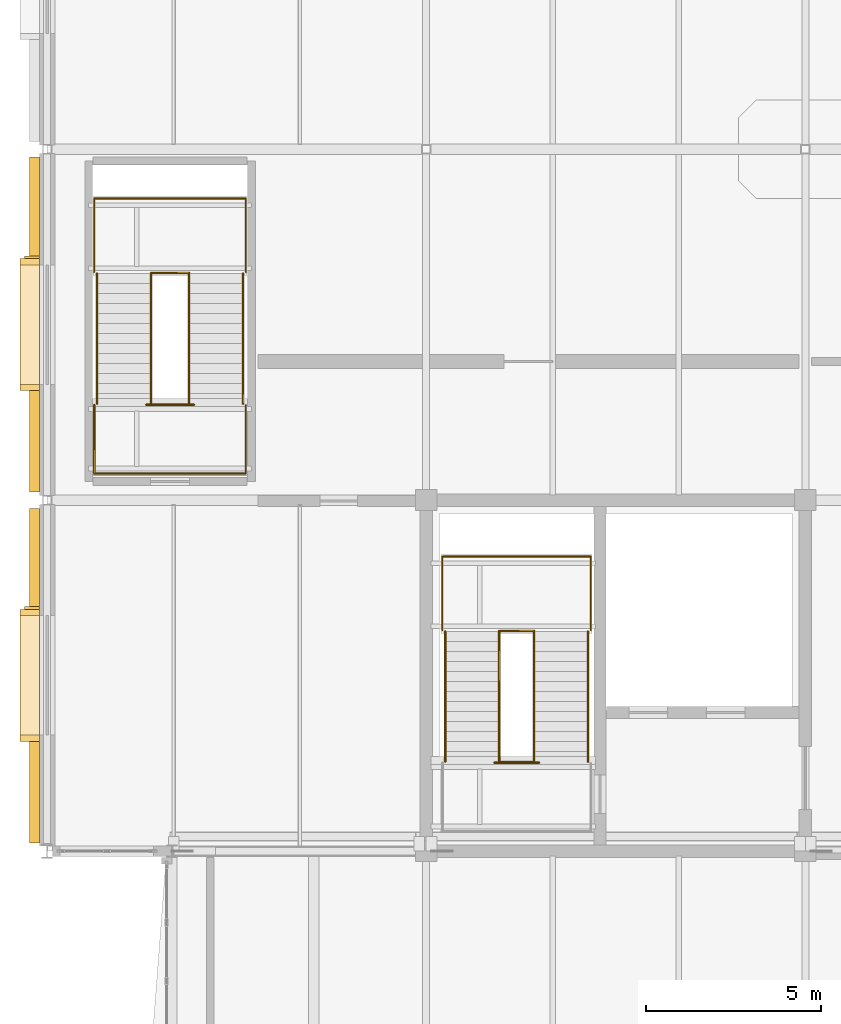
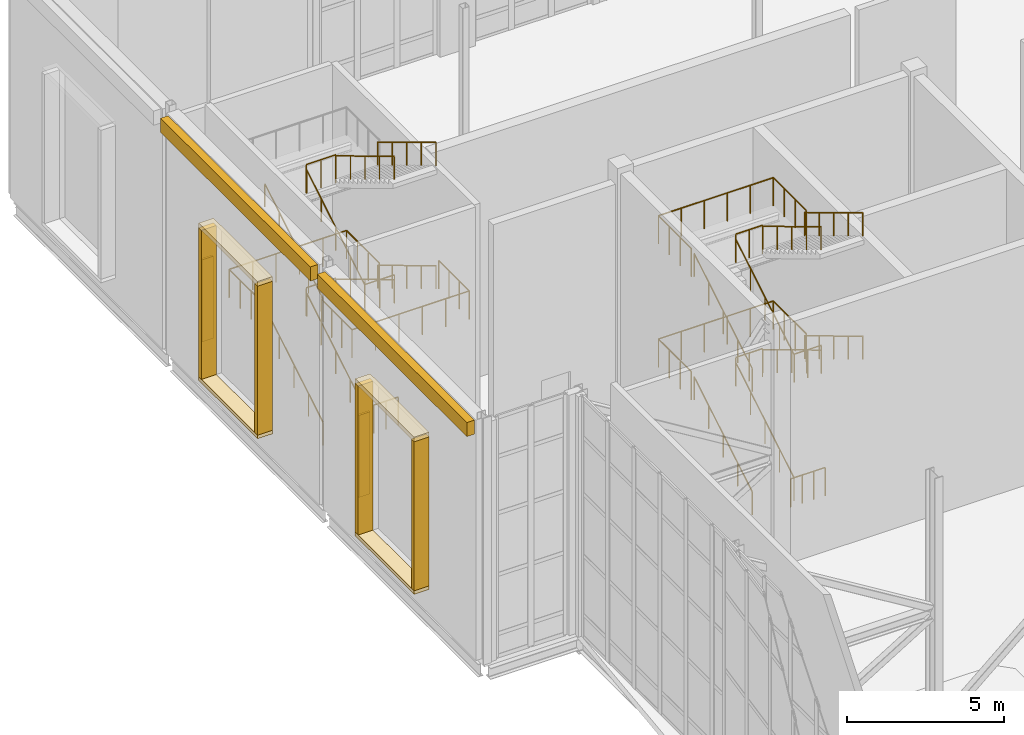
# One storey, part 96 of 100: 29 railings, 10 coverings, 2 shading devices.
"""IFC4 building model written with IfcOpenShell, lengths in metres."""

from ifc_helpers import new_model, si_unit, direction, frame, origin, origin_2d, place, context, subcontext, project, spatial, rectangle, circle, extrude, material, layer, layer_set, type_object, element, save


model = new_model("IFC4")

# Units and contexts
model_context = context("Model", 3, precision=1e-05, world=origin(), true_north=direction((0.0, 1.0)))
body_context = subcontext(model_context, "Body", "Model", "MODEL_VIEW")
ifc_project = project(units=[si_unit("LENGTHUNIT", "METRE"), si_unit("AREAUNIT", "SQUARE_METRE"), si_unit("VOLUMEUNIT", "CUBIC_METRE"), si_unit("PLANEANGLEUNIT", "RADIAN"), si_unit("MASSUNIT", "GRAM", prefix="KILO")], contexts=[model_context])

# Site, building, storey
site_placement = place(None, origin())
site = spatial("IfcSite", under=ifc_project, at=site_placement, CompositionType="ELEMENT")
building_placement = place(site_placement, origin())
building = spatial("IfcBuilding", under=site, at=building_placement, Name="Tasgan Crest Museum", CompositionType="ELEMENT")
storey_placement = place(building_placement, frame((0.0, 0.0, 14.39990234375)))
storey = spatial("IfcBuildingStorey", under=building, at=storey_placement, Name="L03", CompositionType="ELEMENT", Elevation=14.39990234375)

# Coverings
ifc_material_1 = material(Name="Honed Rose-Red Mongolian Granite", Category="masonry")
ifc_layer_1 = layer(ifc_material_1, 0.0400390625, Name="COV-GRANITE-ROSE")
ifc_layer_set_1 = layer_set([ifc_layer_1], Name="Honed Rose-Red Mongolian Granite")
covering_type_1 = type_object("IfcCoveringType", Name="COV-GRANITE-ROSE", PredefinedType="CLADDING", material=ifc_layer_set_1)
for number, where, z_axis, x_axis, name in (
    (1, (-0.5, 98.7900390625, 1.10009765625), (0.0, 0.0, 1.0), (0.0, -1.0, 0.0), "Deep window reveal jamb L03-057"),
    (2, (-0.5, 95.2099609375, 1.10009765625), (0.0, 0.0, 1.0), (0.0, -1.0, 0.0), "Deep window reveal jamb L03-057"),
    (3, (-0.5, 88.799560546875, 1.10009765625), (0.0, 0.0, 1.0), (0.0, -1.0, 0.0), "Deep window reveal jamb L03-058"),
    (4, (-0.5, 85.219482421875, 1.10009765625), (0.0, 0.0, 1.0), (0.0, -1.0, 0.0), "Deep window reveal jamb L03-058"),
):
    element("IfcCovering", number, at=place(storey_placement, frame(where, z_axis=z_axis, x_axis=x_axis)), inside=storey, type_object=covering_type_1, Name=name, PredefinedType="CLADDING", context=body_context, shape_type="SweptSolid", body=[
        extrude(rectangle(XDim=0.179931640625, YDim=0.550048828125, at=origin_2d()), origin(), (0.0, 0.0, 1.0), 5.800048828125),
    ])
ifc_material_2 = material(Name="Honed Buff Limestone", Category="masonry")
ifc_layer_2 = layer(ifc_material_2, 0.044921875, Name="COV-LIMESTONE-BUFF")
ifc_layer_set_2 = layer_set([ifc_layer_2], Name="Honed Buff Limestone")
covering_type_2 = type_object("IfcCoveringType", Name="COV-LIMESTONE-BUFF", PredefinedType="CLADDING", material=ifc_layer_set_2)
covering_1_placement = place(storey_placement, frame((-0.364990234375, 97.0, 8.76025390625), z_axis=(0.0, 0.0, 1.0), x_axis=(0.0, -1.0, 0.0)))
element("IfcCovering", 5, at=covering_1_placement, inside=storey, type_object=covering_type_2, Name="Stone frieze cladding L03", PredefinedType="CLADDING", context=body_context, shape_type="SweptSolid", body=[
    extrude(rectangle(XDim=9.548095703125, YDim=0.280029296875, at=origin_2d()), origin(), (0.0, 0.0, 1.0), 0.550048828125),
])
covering_2_placement = place(storey_placement, frame((-0.5, 97.0, 6.89990234375), z_axis=(0.0, 0.0, 1.0), x_axis=(0.0, -1.0, 0.0)))
element("IfcCovering", 6, at=covering_2_placement, inside=storey, type_object=covering_type_2, Name="Deep window hood L03-057", PredefinedType="CLADDING", context=body_context, shape_type="SweptSolid", body=[
    extrude(rectangle(XDim=3.760009765625, YDim=0.550048828125, at=origin_2d()), origin(), (0.0, 0.0, 1.0), 0.179931640625),
])
covering_3_placement = place(storey_placement, frame((-0.5, 97.0, 0.9599609375), z_axis=(0.0, 0.0, 1.0), x_axis=(0.0, -1.0, 0.0)))
element("IfcCovering", 7, at=covering_3_placement, inside=storey, type_object=covering_type_2, Name="Deep window sill L03-057", PredefinedType="CLADDING", context=body_context, shape_type="SweptSolid", body=[
    extrude(rectangle(XDim=3.760009765625, YDim=0.550048828125, at=origin_2d()), origin(), (0.0, 0.0, 1.0), 0.139892578125),
])
covering_4_placement = place(storey_placement, frame((-0.364990234375, 87.0, 8.76025390625), z_axis=(0.0, 0.0, 1.0), x_axis=(0.0, -1.0, 0.0)))
element("IfcCovering", 8, at=covering_4_placement, inside=storey, type_object=covering_type_2, Name="Stone frieze cladding L03", PredefinedType="CLADDING", context=body_context, shape_type="SweptSolid", body=[
    extrude(rectangle(XDim=9.529052734375, YDim=0.280029296875, at=origin_2d()), origin(), (0.0, 0.0, 1.0), 0.550048828125),
])
covering_5_placement = place(storey_placement, frame((-0.5, 87.009521484375, 6.89990234375), z_axis=(0.0, 0.0, 1.0), x_axis=(0.0, -1.0, 0.0)))
element("IfcCovering", 9, at=covering_5_placement, inside=storey, type_object=covering_type_2, Name="Deep window hood L03-058", PredefinedType="CLADDING", context=body_context, shape_type="SweptSolid", body=[
    extrude(rectangle(XDim=3.760009765625, YDim=0.550048828125, at=origin_2d()), origin(), (0.0, 0.0, 1.0), 0.179931640625),
])
covering_6_placement = place(storey_placement, frame((-0.5, 87.009521484375, 0.9599609375), z_axis=(0.0, 0.0, 1.0), x_axis=(0.0, -1.0, 0.0)))
element("IfcCovering", 10, at=covering_6_placement, inside=storey, type_object=covering_type_2, Name="Deep window sill L03-058", PredefinedType="CLADDING", context=body_context, shape_type="SweptSolid", body=[
    extrude(rectangle(XDim=3.760009765625, YDim=0.550048828125, at=origin_2d()), origin(), (0.0, 0.0, 1.0), 0.139892578125),
])

# Railings
ifc_material_3 = material(Name="Brushed Bronze and Toughened Glass", Category="glass")
railing_type_1 = type_object("IfcRailingType", Name="RL-INT-GUARD-1120", PredefinedType="GUARDRAIL", material=ifc_material_3)
railing_1_placement = place(storey_placement, frame((12.739990234375, 84.52001953125, 0.0)))
element("IfcRailing", 11, at=railing_1_placement, inside=storey, type_object=railing_type_1, Name="North-West Gallery Core floor slot guard L03", PredefinedType="GUARDRAIL", context=body_context, shape_type="SweptSolid", body=[
    extrude(circle(Radius=0.02392578125, at=origin_2d()), frame((0.0, 0.0, 1.09619140625), z_axis=(1.0, 0.0, 0.0), x_axis=(0.0, 1.0, 0.0)), (0.0, 0.0, 1.0), 1.27001953125),
    extrude(circle(Radius=0.02099609375, at=origin_2d()), origin(), (0.0, 0.0, 1.0), 1.072021484375),
    extrude(circle(Radius=0.02099609375, at=origin_2d()), frame((0.42333984375, 0.0, 0.0)), (0.0, 0.0, 1.0), 1.072021484375),
    extrude(circle(Radius=0.02099609375, at=origin_2d()), frame((0.8466796875, 0.0, 0.0)), (0.0, 0.0, 1.0), 1.072021484375),
    extrude(circle(Radius=0.02099609375, at=origin_2d()), frame((1.27001953125, 0.0, 0.0)), (0.0, 0.0, 1.0), 1.072021484375),
])
for number, where, name in (
    (12, (12.8798828125, 84.530029296875, 4.800048828125), "Stair intermediate slot guard ST-NW-L03"),
    (13, (12.8798828125, 88.27490234375, 2.400146484375), "Stair half-landing well guard ST-NW-L03 T1"),
):
    element("IfcRailing", number, at=place(storey_placement, frame(where)), inside=storey, type_object=railing_type_1, Name=name, PredefinedType="GUARDRAIL", context=body_context, shape_type="SweptSolid", body=[
        extrude(circle(Radius=0.02392578125, at=origin_2d()), frame((0.0, 0.0, 1.09619140625), z_axis=(1.0, 0.0, 0.0), x_axis=(0.0, 1.0, 0.0)), (0.0, 0.0, 1.0), 0.990234375),
        extrude(circle(Radius=0.02099609375, at=origin_2d()), origin(), (0.0, 0.0, 1.0), 1.072021484375),
        extrude(circle(Radius=0.02099609375, at=origin_2d()), frame((0.4951171875, 0.0, 0.0)), (0.0, 0.0, 1.0), 1.072021484375),
        extrude(circle(Radius=0.02099609375, at=origin_2d()), frame((0.990234375, 0.0, 0.0)), (0.0, 0.0, 1.0), 1.072021484375),
    ])
railing_2_placement = place(storey_placement, frame((11.260009765625, 88.294921875, 2.400146484375)))
element("IfcRailing", 14, at=railing_2_placement, inside=storey, type_object=railing_type_1, Name="Stair half-landing perimeter guard ST-NW-L03 T1", PredefinedType="GUARDRAIL", context=body_context, shape_type="SweptSolid", body=[
    extrude(circle(Radius=0.02392578125, at=origin_2d()), frame((0.0, 0.0, 1.09619140625), z_axis=(0.0, 1.0, 0.0), x_axis=(-1.0, 0.0, 0.0)), (0.0, 0.0, 1.0), 2.10009765625),
    extrude(circle(Radius=0.02392578125, at=origin_2d()), frame((0.0, 2.10009765625, 1.09619140625), z_axis=(1.0, 0.0, 0.0), x_axis=(0.0, 1.0, 0.0)), (0.0, 0.0, 1.0), 4.22998046875),
    extrude(circle(Radius=0.02392578125, at=origin_2d()), frame((4.22998046875, 2.10009765625, 1.09619140625), z_axis=(0.0, -1.0, 0.0), x_axis=(1.0, 0.0, 0.0)), (0.0, 0.0, 1.0), 2.10009765625),
    extrude(circle(Radius=0.02099609375, at=origin_2d()), origin(), (0.0, 0.0, 1.0), 1.072021484375),
    extrude(circle(Radius=0.02099609375, at=origin_2d()), frame((0.0, 0.699951171875, 0.0)), (0.0, 0.0, 1.0), 1.072021484375),
    extrude(circle(Radius=0.02099609375, at=origin_2d()), frame((0.0, 1.400146484375, 0.0)), (0.0, 0.0, 1.0), 1.072021484375),
    extrude(circle(Radius=0.02099609375, at=origin_2d()), frame((0.0, 2.10009765625, 0.0)), (0.0, 0.0, 1.0), 1.072021484375),
    extrude(circle(Radius=0.02099609375, at=origin_2d()), frame((0.845947265625, 2.10009765625, 0.0)), (0.0, 0.0, 1.0), 1.072021484375),
    extrude(circle(Radius=0.02099609375, at=origin_2d()), frame((1.69189453125, 2.10009765625, 0.0)), (0.0, 0.0, 1.0), 1.072021484375),
    extrude(circle(Radius=0.02099609375, at=origin_2d()), frame((2.5380859375, 2.10009765625, 0.0)), (0.0, 0.0, 1.0), 1.072021484375),
    extrude(circle(Radius=0.02099609375, at=origin_2d()), frame((3.384033203125, 2.10009765625, 0.0)), (0.0, 0.0, 1.0), 1.072021484375),
    extrude(circle(Radius=0.02099609375, at=origin_2d()), frame((4.22998046875, 2.10009765625, 0.0)), (0.0, 0.0, 1.0), 1.072021484375),
    extrude(circle(Radius=0.02099609375, at=origin_2d()), frame((4.22998046875, 1.400146484375, 0.0)), (0.0, 0.0, 1.0), 1.072021484375),
    extrude(circle(Radius=0.02099609375, at=origin_2d()), frame((4.22998046875, 0.699951171875, 0.0)), (0.0, 0.0, 1.0), 1.072021484375),
    extrude(circle(Radius=0.02099609375, at=origin_2d()), frame((4.22998046875, 0.0, 0.0)), (0.0, 0.0, 1.0), 1.072021484375),
])
railing_3_placement = place(storey_placement, frame((12.8798828125, 88.27490234375, 7.2001953125)))
element("IfcRailing", 15, at=railing_3_placement, inside=storey, type_object=railing_type_1, Name="Stair half-landing well guard ST-NW-L03 T2", PredefinedType="GUARDRAIL", context=body_context, shape_type="SweptSolid", body=[
    extrude(circle(Radius=0.02392578125, at=origin_2d()), frame((0.0, 0.0, 1.09619140625), z_axis=(1.0, 0.0, 0.0), x_axis=(0.0, 1.0, 0.0)), (0.0, 0.0, 1.0), 0.990234375),
    extrude(circle(Radius=0.02099609375, at=origin_2d()), origin(), (0.0, 0.0, 1.0), 1.072021484375),
    extrude(circle(Radius=0.02099609375, at=origin_2d()), frame((0.4951171875, 0.0, 0.0)), (0.0, 0.0, 1.0), 1.072021484375),
    extrude(circle(Radius=0.02099609375, at=origin_2d()), frame((0.990234375, 0.0, 0.0)), (0.0, 0.0, 1.0), 1.072021484375),
])
railing_4_placement = place(storey_placement, frame((11.260009765625, 88.294921875, 7.2001953125)))
element("IfcRailing", 16, at=railing_4_placement, inside=storey, type_object=railing_type_1, Name="Stair half-landing perimeter guard ST-NW-L03 T2", PredefinedType="GUARDRAIL", context=body_context, shape_type="SweptSolid", body=[
    extrude(circle(Radius=0.02392578125, at=origin_2d()), frame((0.0, 0.0, 1.09619140625), z_axis=(0.0, 1.0, 0.0), x_axis=(-1.0, 0.0, 0.0)), (0.0, 0.0, 1.0), 2.10009765625),
    extrude(circle(Radius=0.02392578125, at=origin_2d()), frame((0.0, 2.10009765625, 1.09619140625), z_axis=(1.0, 0.0, 0.0), x_axis=(0.0, 1.0, 0.0)), (0.0, 0.0, 1.0), 4.22998046875),
    extrude(circle(Radius=0.02392578125, at=origin_2d()), frame((4.22998046875, 2.10009765625, 1.09619140625), z_axis=(0.0, -1.0, 0.0), x_axis=(1.0, 0.0, 0.0)), (0.0, 0.0, 1.0), 2.10009765625),
    extrude(circle(Radius=0.02099609375, at=origin_2d()), origin(), (0.0, 0.0, 1.0), 1.072021484375),
    extrude(circle(Radius=0.02099609375, at=origin_2d()), frame((0.0, 0.699951171875, 0.0)), (0.0, 0.0, 1.0), 1.072021484375),
    extrude(circle(Radius=0.02099609375, at=origin_2d()), frame((0.0, 1.400146484375, 0.0)), (0.0, 0.0, 1.0), 1.072021484375),
    extrude(circle(Radius=0.02099609375, at=origin_2d()), frame((0.0, 2.10009765625, 0.0)), (0.0, 0.0, 1.0), 1.072021484375),
    extrude(circle(Radius=0.02099609375, at=origin_2d()), frame((0.845947265625, 2.10009765625, 0.0)), (0.0, 0.0, 1.0), 1.072021484375),
    extrude(circle(Radius=0.02099609375, at=origin_2d()), frame((1.69189453125, 2.10009765625, 0.0)), (0.0, 0.0, 1.0), 1.072021484375),
    extrude(circle(Radius=0.02099609375, at=origin_2d()), frame((2.5380859375, 2.10009765625, 0.0)), (0.0, 0.0, 1.0), 1.072021484375),
    extrude(circle(Radius=0.02099609375, at=origin_2d()), frame((3.384033203125, 2.10009765625, 0.0)), (0.0, 0.0, 1.0), 1.072021484375),
    extrude(circle(Radius=0.02099609375, at=origin_2d()), frame((4.22998046875, 2.10009765625, 0.0)), (0.0, 0.0, 1.0), 1.072021484375),
    extrude(circle(Radius=0.02099609375, at=origin_2d()), frame((4.22998046875, 1.400146484375, 0.0)), (0.0, 0.0, 1.0), 1.072021484375),
    extrude(circle(Radius=0.02099609375, at=origin_2d()), frame((4.22998046875, 0.699951171875, 0.0)), (0.0, 0.0, 1.0), 1.072021484375),
    extrude(circle(Radius=0.02099609375, at=origin_2d()), frame((4.22998046875, 0.0, 0.0)), (0.0, 0.0, 1.0), 1.072021484375),
])
railing_5_placement = place(storey_placement, frame((2.820068359375, 94.719970703125, 0.0)))
element("IfcRailing", 17, at=railing_5_placement, inside=storey, type_object=railing_type_1, Name="GALW floor slot guard L03", PredefinedType="GUARDRAIL", context=body_context, shape_type="SweptSolid", body=[
    extrude(circle(Radius=0.02392578125, at=origin_2d()), frame((0.0, 0.0, 1.09619140625), z_axis=(1.0, 0.0, 0.0), x_axis=(0.0, 1.0, 0.0)), (0.0, 0.0, 1.0), 1.35986328125),
    extrude(circle(Radius=0.02099609375, at=origin_2d()), origin(), (0.0, 0.0, 1.0), 1.072021484375),
    extrude(circle(Radius=0.02099609375, at=origin_2d()), frame((0.453369140625, 0.0, 0.0)), (0.0, 0.0, 1.0), 1.072021484375),
    extrude(circle(Radius=0.02099609375, at=origin_2d()), frame((0.906494140625, 0.0, 0.0)), (0.0, 0.0, 1.0), 1.072021484375),
    extrude(circle(Radius=0.02099609375, at=origin_2d()), frame((1.35986328125, 0.0, 0.0)), (0.0, 0.0, 1.0), 1.072021484375),
])
railing_6_placement = place(storey_placement, frame((2.9599609375, 94.72998046875, 4.800048828125)))
element("IfcRailing", 18, at=railing_6_placement, inside=storey, type_object=railing_type_1, Name="Stair intermediate slot guard ST-GW-L03", PredefinedType="GUARDRAIL", context=body_context, shape_type="SweptSolid", body=[
    extrude(circle(Radius=0.02392578125, at=origin_2d()), frame((0.0, 0.0, 1.09619140625), z_axis=(1.0, 0.0, 0.0), x_axis=(0.0, 1.0, 0.0)), (0.0, 0.0, 1.0), 1.080078125),
    extrude(circle(Radius=0.02099609375, at=origin_2d()), origin(), (0.0, 0.0, 1.0), 1.072021484375),
    extrude(circle(Radius=0.02099609375, at=origin_2d()), frame((0.5400390625, 0.0, 0.0)), (0.0, 0.0, 1.0), 1.072021484375),
    extrude(circle(Radius=0.02099609375, at=origin_2d()), frame((1.080078125, 0.0, 0.0)), (0.0, 0.0, 1.0), 1.072021484375),
])
railing_7_placement = place(storey_placement, frame((1.340087890625, 92.760009765625, 4.800048828125)))
element("IfcRailing", 19, at=railing_7_placement, inside=storey, type_object=railing_type_1, Name="Stair intermediate rear guard ST-GW-L03", PredefinedType="GUARDRAIL", context=body_context, shape_type="SweptSolid", body=[
    extrude(circle(Radius=0.02392578125, at=origin_2d()), frame((0.0, 0.0, 1.09619140625), z_axis=(1.0, 0.0, 0.0), x_axis=(0.0, 1.0, 0.0)), (0.0, 0.0, 1.0), 4.31982421875),
    extrude(circle(Radius=0.02392578125, at=origin_2d()), frame((4.31982421875, 0.0, 1.09619140625), z_axis=(0.0, 1.0, 0.0), x_axis=(-1.0, 0.0, 0.0)), (0.0, 0.0, 1.0), 1.949951171875),
    extrude(circle(Radius=0.02099609375, at=origin_2d()), origin(), (0.0, 0.0, 1.0), 1.072021484375),
    extrude(circle(Radius=0.02099609375, at=origin_2d()), frame((0.864013671875, 0.0, 0.0)), (0.0, 0.0, 1.0), 1.072021484375),
    extrude(circle(Radius=0.02099609375, at=origin_2d()), frame((1.72802734375, 0.0, 0.0)), (0.0, 0.0, 1.0), 1.072021484375),
    extrude(circle(Radius=0.02099609375, at=origin_2d()), frame((2.591796875, 0.0, 0.0)), (0.0, 0.0, 1.0), 1.072021484375),
    extrude(circle(Radius=0.02099609375, at=origin_2d()), frame((3.455810546875, 0.0, 0.0)), (0.0, 0.0, 1.0), 1.072021484375),
    extrude(circle(Radius=0.02099609375, at=origin_2d()), frame((4.31982421875, 0.0, 0.0)), (0.0, 0.0, 1.0), 1.072021484375),
    extrude(circle(Radius=0.02099609375, at=origin_2d()), frame((4.31982421875, 0.64990234375, 0.0)), (0.0, 0.0, 1.0), 1.072021484375),
    extrude(circle(Radius=0.02099609375, at=origin_2d()), frame((4.31982421875, 1.300048828125, 0.0)), (0.0, 0.0, 1.0), 1.072021484375),
    extrude(circle(Radius=0.02099609375, at=origin_2d()), frame((4.31982421875, 1.949951171875, 0.0)), (0.0, 0.0, 1.0), 1.072021484375),
])
railing_8_placement = place(storey_placement, frame((1.340087890625, 92.760009765625, 4.800048828125)))
element("IfcRailing", 20, at=railing_8_placement, inside=storey, type_object=railing_type_1, Name="Stair intermediate side guard ST-GW-L03", PredefinedType="GUARDRAIL", context=body_context, shape_type="SweptSolid", body=[
    extrude(circle(Radius=0.02392578125, at=origin_2d()), frame((0.0, 0.0, 1.09619140625), z_axis=(0.0, 1.0, 0.0), x_axis=(-1.0, 0.0, 0.0)), (0.0, 0.0, 1.0), 1.949951171875),
    extrude(circle(Radius=0.02099609375, at=origin_2d()), origin(), (0.0, 0.0, 1.0), 1.072021484375),
    extrude(circle(Radius=0.02099609375, at=origin_2d()), frame((0.0, 0.64990234375, 0.0)), (0.0, 0.0, 1.0), 1.072021484375),
    extrude(circle(Radius=0.02099609375, at=origin_2d()), frame((0.0, 1.300048828125, 0.0)), (0.0, 0.0, 1.0), 1.072021484375),
    extrude(circle(Radius=0.02099609375, at=origin_2d()), frame((0.0, 1.949951171875, 0.0)), (0.0, 0.0, 1.0), 1.072021484375),
])
railing_9_placement = place(storey_placement, frame((2.9599609375, 98.47509765625, 2.400146484375)))
element("IfcRailing", 21, at=railing_9_placement, inside=storey, type_object=railing_type_1, Name="Stair half-landing well guard ST-GW-L03 T1", PredefinedType="GUARDRAIL", context=body_context, shape_type="SweptSolid", body=[
    extrude(circle(Radius=0.02392578125, at=origin_2d()), frame((0.0, 0.0, 1.09619140625), z_axis=(1.0, 0.0, 0.0), x_axis=(0.0, 1.0, 0.0)), (0.0, 0.0, 1.0), 1.080078125),
    extrude(circle(Radius=0.02099609375, at=origin_2d()), origin(), (0.0, 0.0, 1.0), 1.072021484375),
    extrude(circle(Radius=0.02099609375, at=origin_2d()), frame((0.5400390625, 0.0, 0.0)), (0.0, 0.0, 1.0), 1.072021484375),
    extrude(circle(Radius=0.02099609375, at=origin_2d()), frame((1.080078125, 0.0, 0.0)), (0.0, 0.0, 1.0), 1.072021484375),
])
railing_10_placement = place(storey_placement, frame((1.340087890625, 98.4951171875, 2.400146484375)))
element("IfcRailing", 22, at=railing_10_placement, inside=storey, type_object=railing_type_1, Name="Stair half-landing perimeter guard ST-GW-L03 T1", PredefinedType="GUARDRAIL", context=body_context, shape_type="SweptSolid", body=[
    extrude(circle(Radius=0.02392578125, at=origin_2d()), frame((0.0, 0.0, 1.09619140625), z_axis=(0.0, 1.0, 0.0), x_axis=(-1.0, 0.0, 0.0)), (0.0, 0.0, 1.0), 2.099853515625),
    extrude(circle(Radius=0.02392578125, at=origin_2d()), frame((0.0, 2.099853515625, 1.09619140625), z_axis=(1.0, 0.0, 0.0), x_axis=(0.0, 1.0, 0.0)), (0.0, 0.0, 1.0), 4.31982421875),
    extrude(circle(Radius=0.02392578125, at=origin_2d()), frame((4.31982421875, 2.099853515625, 1.09619140625), z_axis=(0.0, -1.0, 0.0), x_axis=(1.0, 0.0, 0.0)), (0.0, 0.0, 1.0), 2.099853515625),
    extrude(circle(Radius=0.02099609375, at=origin_2d()), origin(), (0.0, 0.0, 1.0), 1.072021484375),
    extrude(circle(Radius=0.02099609375, at=origin_2d()), frame((0.0, 0.699951171875, 0.0)), (0.0, 0.0, 1.0), 1.072021484375),
    extrude(circle(Radius=0.02099609375, at=origin_2d()), frame((0.0, 1.39990234375, 0.0)), (0.0, 0.0, 1.0), 1.072021484375),
    extrude(circle(Radius=0.02099609375, at=origin_2d()), frame((0.0, 2.099853515625, 0.0)), (0.0, 0.0, 1.0), 1.072021484375),
    extrude(circle(Radius=0.02099609375, at=origin_2d()), frame((0.864013671875, 2.099853515625, 0.0)), (0.0, 0.0, 1.0), 1.072021484375),
    extrude(circle(Radius=0.02099609375, at=origin_2d()), frame((1.72802734375, 2.099853515625, 0.0)), (0.0, 0.0, 1.0), 1.072021484375),
    extrude(circle(Radius=0.02099609375, at=origin_2d()), frame((2.591796875, 2.099853515625, 0.0)), (0.0, 0.0, 1.0), 1.072021484375),
    extrude(circle(Radius=0.02099609375, at=origin_2d()), frame((3.455810546875, 2.099853515625, 0.0)), (0.0, 0.0, 1.0), 1.072021484375),
    extrude(circle(Radius=0.02099609375, at=origin_2d()), frame((4.31982421875, 2.099853515625, 0.0)), (0.0, 0.0, 1.0), 1.072021484375),
    extrude(circle(Radius=0.02099609375, at=origin_2d()), frame((4.31982421875, 1.39990234375, 0.0)), (0.0, 0.0, 1.0), 1.072021484375),
    extrude(circle(Radius=0.02099609375, at=origin_2d()), frame((4.31982421875, 0.699951171875, 0.0)), (0.0, 0.0, 1.0), 1.072021484375),
    extrude(circle(Radius=0.02099609375, at=origin_2d()), frame((4.31982421875, 0.0, 0.0)), (0.0, 0.0, 1.0), 1.072021484375),
])
railing_11_placement = place(storey_placement, frame((2.9599609375, 98.47509765625, 7.2001953125)))
element("IfcRailing", 23, at=railing_11_placement, inside=storey, type_object=railing_type_1, Name="Stair half-landing well guard ST-GW-L03 T2", PredefinedType="GUARDRAIL", context=body_context, shape_type="SweptSolid", body=[
    extrude(circle(Radius=0.02392578125, at=origin_2d()), frame((0.0, 0.0, 1.09619140625), z_axis=(1.0, 0.0, 0.0), x_axis=(0.0, 1.0, 0.0)), (0.0, 0.0, 1.0), 1.080078125),
    extrude(circle(Radius=0.02099609375, at=origin_2d()), origin(), (0.0, 0.0, 1.0), 1.072021484375),
    extrude(circle(Radius=0.02099609375, at=origin_2d()), frame((0.5400390625, 0.0, 0.0)), (0.0, 0.0, 1.0), 1.072021484375),
    extrude(circle(Radius=0.02099609375, at=origin_2d()), frame((1.080078125, 0.0, 0.0)), (0.0, 0.0, 1.0), 1.072021484375),
])
ifc_material_4 = material(Name="Brushed Stainless Steel", Category="steel")
railing_type_2 = type_object("IfcRailingType", Name="RL-STAIR-HAND-920", PredefinedType="HANDRAIL", material=ifc_material_4)
for number, where, name in (
    (24, (11.340087890625, 84.550048828125, 0.17138671875), "Stair handrail STAIR-CORE-NW-L03-F1 L"),
    (25, (12.8798828125, 84.550048828125, 0.17138671875), "Stair handrail STAIR-CORE-NW-L03-F1 R"),
):
    element("IfcRailing", number, at=place(storey_placement, frame(where)), inside=storey, type_object=railing_type_2, Name=name, PredefinedType="HANDRAIL", context=body_context, shape_type="SweptSolid", body=[
        extrude(circle(Radius=0.02392578125, at=origin_2d()), frame((0.0, 0.0, 0.89599609375), z_axis=(0.0, 0.856894455432, 0.515491893485), x_axis=(-1.0, 0.0, 0.0)), (0.0, 0.0, 1.0), 4.323486328125),
        extrude(circle(Radius=0.02099609375, at=origin_2d()), origin(), (0.0, 0.0, 1.0), 0.871826171875),
        extrude(circle(Radius=0.02099609375, at=origin_2d()), frame((0.0, 0.92626953125, 0.55712890625)), (0.0, 0.0, 1.0), 0.871826171875),
        extrude(circle(Radius=0.02099609375, at=origin_2d()), frame((0.0, 1.8525390625, 1.1142578125)), (0.0, 0.0, 1.0), 0.871826171875),
        extrude(circle(Radius=0.02099609375, at=origin_2d()), frame((0.0, 2.778564453125, 1.671630859375)), (0.0, 0.0, 1.0), 0.871826171875),
        extrude(circle(Radius=0.02099609375, at=origin_2d()), frame((0.0, 3.704833984375, 2.228759765625)), (0.0, 0.0, 1.0), 0.871826171875),
    ])
for number, where, name in (
    (26, (15.409912109375, 88.2548828125, 2.571533203125), "Stair handrail STAIR-CORE-NW-L03-F2 L"),
    (27, (13.8701171875, 88.2548828125, 2.571533203125), "Stair handrail STAIR-CORE-NW-L03-F2 R"),
):
    element("IfcRailing", number, at=place(storey_placement, frame(where)), inside=storey, type_object=railing_type_2, Name=name, PredefinedType="HANDRAIL", context=body_context, shape_type="SweptSolid", body=[
        extrude(circle(Radius=0.02392578125, at=origin_2d()), frame((0.0, 0.0, 0.89599609375), z_axis=(0.0, -0.856919398105, 0.515450429384), x_axis=(1.0, 0.0, 0.0)), (0.0, 0.0, 1.0), 4.323486328125),
        extrude(circle(Radius=0.02099609375, at=origin_2d()), origin(), (0.0, 0.0, 1.0), 0.871826171875),
        extrude(circle(Radius=0.02099609375, at=origin_2d()), frame((0.0, -0.92626953125, 0.55712890625)), (0.0, 0.0, 1.0), 0.871826171875),
        extrude(circle(Radius=0.02099609375, at=origin_2d()), frame((0.0, -1.8525390625, 1.1142578125)), (0.0, 0.0, 1.0), 0.871826171875),
        extrude(circle(Radius=0.02099609375, at=origin_2d()), frame((0.0, -2.778564453125, 1.67138671875)), (0.0, 0.0, 1.0), 0.871826171875),
        extrude(circle(Radius=0.02099609375, at=origin_2d()), frame((0.0, -3.704833984375, 2.228515625)), (0.0, 0.0, 1.0), 0.871826171875),
    ])
for number, where, name in (
    (28, (11.340087890625, 84.550048828125, 4.971435546875), "Stair handrail STAIR-CORE-NW-L03-F3 L"),
    (29, (12.8798828125, 84.550048828125, 4.971435546875), "Stair handrail STAIR-CORE-NW-L03-F3 R"),
):
    element("IfcRailing", number, at=place(storey_placement, frame(where)), inside=storey, type_object=railing_type_2, Name=name, PredefinedType="HANDRAIL", context=body_context, shape_type="SweptSolid", body=[
        extrude(circle(Radius=0.02392578125, at=origin_2d()), frame((0.0, 0.0, 0.89599609375), z_axis=(0.0, 0.856894455432, 0.515491893485), x_axis=(-1.0, 0.0, 0.0)), (0.0, 0.0, 1.0), 4.323486328125),
        extrude(circle(Radius=0.02099609375, at=origin_2d()), origin(), (0.0, 0.0, 1.0), 0.871826171875),
        extrude(circle(Radius=0.02099609375, at=origin_2d()), frame((0.0, 0.92626953125, 0.55712890625)), (0.0, 0.0, 1.0), 0.871826171875),
        extrude(circle(Radius=0.02099609375, at=origin_2d()), frame((0.0, 1.8525390625, 1.1142578125)), (0.0, 0.0, 1.0), 0.871826171875),
        extrude(circle(Radius=0.02099609375, at=origin_2d()), frame((0.0, 2.778564453125, 1.671630859375)), (0.0, 0.0, 1.0), 0.871826171875),
        extrude(circle(Radius=0.02099609375, at=origin_2d()), frame((0.0, 3.704833984375, 2.228759765625)), (0.0, 0.0, 1.0), 0.871826171875),
    ])
for number, where, name in (
    (30, (15.409912109375, 88.2548828125, 7.37158203125), "Stair handrail STAIR-CORE-NW-L03-F4 L"),
    (31, (13.8701171875, 88.2548828125, 7.37158203125), "Stair handrail STAIR-CORE-NW-L03-F4 R"),
):
    element("IfcRailing", number, at=place(storey_placement, frame(where)), inside=storey, type_object=railing_type_2, Name=name, PredefinedType="HANDRAIL", context=body_context, shape_type="SweptSolid", body=[
        extrude(circle(Radius=0.02392578125, at=origin_2d()), frame((0.0, 0.0, 0.89599609375), z_axis=(0.0, -0.856919398105, 0.515450429384), x_axis=(1.0, 0.0, 0.0)), (0.0, 0.0, 1.0), 4.323486328125),
        extrude(circle(Radius=0.02099609375, at=origin_2d()), origin(), (0.0, 0.0, 1.0), 0.871826171875),
        extrude(circle(Radius=0.02099609375, at=origin_2d()), frame((0.0, -0.92626953125, 0.55712890625)), (0.0, 0.0, 1.0), 0.871826171875),
        extrude(circle(Radius=0.02099609375, at=origin_2d()), frame((0.0, -1.8525390625, 1.1142578125)), (0.0, 0.0, 1.0), 0.871826171875),
        extrude(circle(Radius=0.02099609375, at=origin_2d()), frame((0.0, -2.778564453125, 1.67138671875)), (0.0, 0.0, 1.0), 0.871826171875),
        extrude(circle(Radius=0.02099609375, at=origin_2d()), frame((0.0, -3.704833984375, 2.228515625)), (0.0, 0.0, 1.0), 0.871826171875),
    ])
for number, where, name in (
    (32, (1.419921875, 94.75, 0.17138671875), "Stair handrail STAIR-GALW-L03-F1 L"),
    (33, (2.9599609375, 94.75, 0.17138671875), "Stair handrail STAIR-GALW-L03-F1 R"),
):
    element("IfcRailing", number, at=place(storey_placement, frame(where)), inside=storey, type_object=railing_type_2, Name=name, PredefinedType="HANDRAIL", context=body_context, shape_type="SweptSolid", body=[
        extrude(circle(Radius=0.02392578125, at=origin_2d()), frame((0.0, 0.0, 0.89599609375), z_axis=(0.0, 0.856909459561, 0.515466951525), x_axis=(-1.0, 0.0, 0.0)), (0.0, 0.0, 1.0), 4.32373046875),
        extrude(circle(Radius=0.02099609375, at=origin_2d()), origin(), (0.0, 0.0, 1.0), 0.871826171875),
        extrude(circle(Radius=0.02099609375, at=origin_2d()), frame((0.0, 0.92626953125, 0.55712890625)), (0.0, 0.0, 1.0), 0.871826171875),
        extrude(circle(Radius=0.02099609375, at=origin_2d()), frame((0.0, 1.8525390625, 1.1142578125)), (0.0, 0.0, 1.0), 0.871826171875),
        extrude(circle(Radius=0.02099609375, at=origin_2d()), frame((0.0, 2.77880859375, 1.671630859375)), (0.0, 0.0, 1.0), 0.871826171875),
        extrude(circle(Radius=0.02099609375, at=origin_2d()), frame((0.0, 3.705078125, 2.228759765625)), (0.0, 0.0, 1.0), 0.871826171875),
    ])
for number, where, name in (
    (34, (5.580078125, 98.455078125, 2.571533203125), "Stair handrail STAIR-GALW-L03-F2 L"),
    (35, (4.0400390625, 98.455078125, 2.571533203125), "Stair handrail STAIR-GALW-L03-F2 R"),
):
    element("IfcRailing", number, at=place(storey_placement, frame(where)), inside=storey, type_object=railing_type_2, Name=name, PredefinedType="HANDRAIL", context=body_context, shape_type="SweptSolid", body=[
        extrude(circle(Radius=0.02392578125, at=origin_2d()), frame((0.0, 0.0, 0.89599609375), z_axis=(0.0, -0.856934400257, 0.515425487977), x_axis=(1.0, 0.0, 0.0)), (0.0, 0.0, 1.0), 4.32373046875),
        extrude(circle(Radius=0.02099609375, at=origin_2d()), origin(), (0.0, 0.0, 1.0), 0.871826171875),
        extrude(circle(Radius=0.02099609375, at=origin_2d()), frame((0.0, -0.92626953125, 0.55712890625)), (0.0, 0.0, 1.0), 0.871826171875),
        extrude(circle(Radius=0.02099609375, at=origin_2d()), frame((0.0, -1.8525390625, 1.1142578125)), (0.0, 0.0, 1.0), 0.871826171875),
        extrude(circle(Radius=0.02099609375, at=origin_2d()), frame((0.0, -2.77880859375, 1.67138671875)), (0.0, 0.0, 1.0), 0.871826171875),
        extrude(circle(Radius=0.02099609375, at=origin_2d()), frame((0.0, -3.705078125, 2.228515625)), (0.0, 0.0, 1.0), 0.871826171875),
    ])
for number, where, name in (
    (36, (1.419921875, 94.75, 4.971435546875), "Stair handrail STAIR-GALW-L03-F3 L"),
    (37, (2.9599609375, 94.75, 4.971435546875), "Stair handrail STAIR-GALW-L03-F3 R"),
):
    element("IfcRailing", number, at=place(storey_placement, frame(where)), inside=storey, type_object=railing_type_2, Name=name, PredefinedType="HANDRAIL", context=body_context, shape_type="SweptSolid", body=[
        extrude(circle(Radius=0.02392578125, at=origin_2d()), frame((0.0, 0.0, 0.89599609375), z_axis=(0.0, 0.856909459561, 0.515466951525), x_axis=(-1.0, 0.0, 0.0)), (0.0, 0.0, 1.0), 4.32373046875),
        extrude(circle(Radius=0.02099609375, at=origin_2d()), origin(), (0.0, 0.0, 1.0), 0.871826171875),
        extrude(circle(Radius=0.02099609375, at=origin_2d()), frame((0.0, 0.92626953125, 0.55712890625)), (0.0, 0.0, 1.0), 0.871826171875),
        extrude(circle(Radius=0.02099609375, at=origin_2d()), frame((0.0, 1.8525390625, 1.1142578125)), (0.0, 0.0, 1.0), 0.871826171875),
        extrude(circle(Radius=0.02099609375, at=origin_2d()), frame((0.0, 2.77880859375, 1.671630859375)), (0.0, 0.0, 1.0), 0.871826171875),
        extrude(circle(Radius=0.02099609375, at=origin_2d()), frame((0.0, 3.705078125, 2.228759765625)), (0.0, 0.0, 1.0), 0.871826171875),
    ])
for number, where, name in (
    (38, (5.580078125, 98.455078125, 7.37158203125), "Stair handrail STAIR-GALW-L03-F4 L"),
    (39, (4.0400390625, 98.455078125, 7.37158203125), "Stair handrail STAIR-GALW-L03-F4 R"),
):
    element("IfcRailing", number, at=place(storey_placement, frame(where)), inside=storey, type_object=railing_type_2, Name=name, PredefinedType="HANDRAIL", context=body_context, shape_type="SweptSolid", body=[
        extrude(circle(Radius=0.02392578125, at=origin_2d()), frame((0.0, 0.0, 0.89599609375), z_axis=(0.0, -0.856934400257, 0.515425487977), x_axis=(1.0, 0.0, 0.0)), (0.0, 0.0, 1.0), 4.32373046875),
        extrude(circle(Radius=0.02099609375, at=origin_2d()), origin(), (0.0, 0.0, 1.0), 0.871826171875),
        extrude(circle(Radius=0.02099609375, at=origin_2d()), frame((0.0, -0.92626953125, 0.55712890625)), (0.0, 0.0, 1.0), 0.871826171875),
        extrude(circle(Radius=0.02099609375, at=origin_2d()), frame((0.0, -1.8525390625, 1.1142578125)), (0.0, 0.0, 1.0), 0.871826171875),
        extrude(circle(Radius=0.02099609375, at=origin_2d()), frame((0.0, -2.77880859375, 1.67138671875)), (0.0, 0.0, 1.0), 0.871826171875),
        extrude(circle(Radius=0.02099609375, at=origin_2d()), frame((0.0, -3.705078125, 2.228515625)), (0.0, 0.0, 1.0), 0.871826171875),
    ])

# Shading devices
ifc_material_5 = material(Name="Anodised Bronze Aluminium", Category="aluminium")
shading_device_type = type_object("IfcShadingDeviceType", Name="SH-FIN-V400", PredefinedType="JALOUSIE", material=ifc_material_5)
for number, where, z_axis, x_axis, name in (
    (40, (-0.43505859375, 98.919921875, 2.39990234375), (0.0, 0.0, 1.0), (0.0, -1.0, 0.0), "Solar shading fin L03-057"),
    (41, (-0.43505859375, 88.929443359375, 2.39990234375), (0.0, 0.0, 1.0), (0.0, -1.0, 0.0), "Solar shading fin L03-058"),
):
    element("IfcShadingDevice", number, at=place(storey_placement, frame(where, z_axis=z_axis, x_axis=x_axis)), inside=storey, type_object=shading_device_type, Name=name, PredefinedType="JALOUSIE", context=body_context, shape_type="SweptSolid", body=[
        extrude(rectangle(XDim=0.080078125, YDim=0.419921875, at=origin_2d()), origin(), (0.0, 0.0, 1.0), 3.199951171875),
    ])

save(model, "model.ifc")
